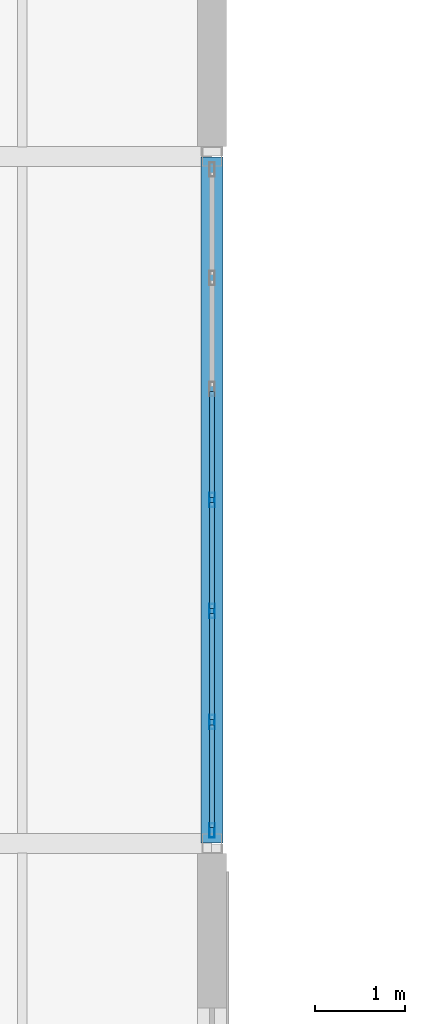
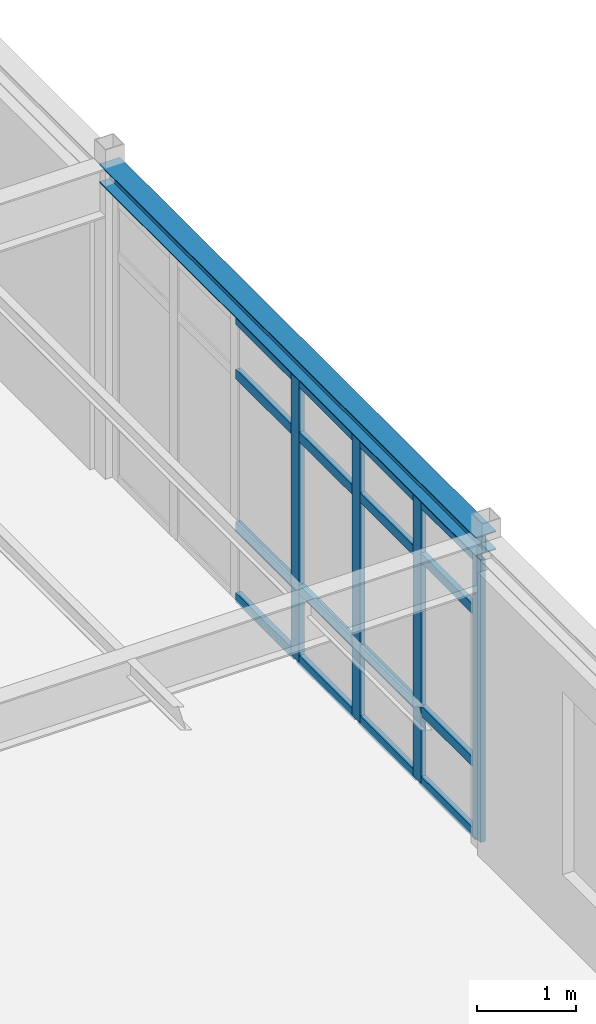
# One storey, part 46 of 114: 20 members, 1 beam, 1 element without a shape of its own.
"""IFC4 building model written with IfcOpenShell, lengths in metres."""

from ifc_helpers import new_model, si_unit, direction, frame, origin, origin_2d, place, context, subcontext, project, spatial, hollow_rectangle, i_section, extrude, material, layer, layer_set, material_profile, profile_set, type_object, element, aggregate, save


model = new_model("IFC4")

# Units and contexts
model_context = context("Model", 3, precision=1e-05, world=origin(), true_north=direction((0.0, 1.0)))
body_context = subcontext(model_context, "Body", "Model", "MODEL_VIEW")
ifc_project = project(units=[si_unit("LENGTHUNIT", "METRE"), si_unit("AREAUNIT", "SQUARE_METRE"), si_unit("VOLUMEUNIT", "CUBIC_METRE"), si_unit("PLANEANGLEUNIT", "RADIAN"), si_unit("MASSUNIT", "GRAM", prefix="KILO")], contexts=[model_context])

# Site, building, storey
site_placement = place(None, origin())
site = spatial("IfcSite", under=ifc_project, at=site_placement, CompositionType="ELEMENT")
building_placement = place(site_placement, origin())
building = spatial("IfcBuilding", under=site, at=building_placement, Name="Montecoro Central Library", CompositionType="ELEMENT")
storey_placement = place(building_placement, frame((0.0, 0.0, 13.260009765625)))
storey = spatial("IfcBuildingStorey", under=building, at=storey_placement, Name="L03", CompositionType="ELEMENT", Elevation=13.260009765625)

# Beam
ifc_material_1 = material(Name="Steel S355", Category="steel")
ifc_material_profile_1 = material_profile(ifc_material_1, i_section(OverallWidth=0.239990234375, OverallDepth=0.22998046875, WebThickness=0.007568359375, FlangeThickness=0.011962890625, at=origin_2d()), Name="HEA 240")
ifc_profile_set_1 = profile_set([ifc_material_profile_1], Name="Steel S355")
beam_type = type_object("IfcBeamType", Name="BM-SP-HEA240", PredefinedType="SPANDREL", material=ifc_profile_set_1)
beam_placement = place(storey_placement, frame((116.800048828125, 96.205078125, 3.7099609375), z_axis=(0.0, 1.0, 0.0), x_axis=(-1.0, 0.0, 0.0)))
element("IfcBeam", 1, at=beam_placement, inside=storey, type_object=beam_type, Name="V2-L03-BY-15-NP", PredefinedType="SPANDREL", context=body_context, shape_type="SweptSolid", body=[
    extrude(i_section(OverallWidth=0.239990234375, OverallDepth=0.22998046875, WebThickness=0.007568359375, FlangeThickness=0.011962890625, at=origin_2d()), origin(), (0.0, 0.0, 1.0), 7.58984375),
])

# Curtain wall, members
ifc_material_2 = material(Name="Bronze-anodised aluminium and low-E glazing", Category="aluminium")
ifc_layer = layer(ifc_material_2, 0.159912109375)
ifc_layer_set = layer_set([ifc_layer], Name="Bronze-anodised aluminium and low-E glazing")
curtain_wall_type = type_object("IfcCurtainWallType", Name="CWT-018", PredefinedType="NOTDEFINED", material=ifc_layer_set)
curtain_wall_placement = place(storey_placement, origin())
curtain_wall = element("IfcCurtainWall", 2, at=curtain_wall_placement, inside=storey, type_object=curtain_wall_type, Name="V2-L03-CW-E1", PredefinedType="NOTDEFINED")
ifc_material_3 = material(Name="Bronze-anodised aluminium", Category="aluminium")
ifc_material_profile_2 = material_profile(ifc_material_3, hollow_rectangle(XDim=0.06005859375, YDim=0.159912109375, WallThickness=0.00390625, at=origin_2d()), Name="CWM 160x60x4.0")
ifc_profile_set_2 = profile_set([ifc_material_profile_2], Name="Bronze-anodised aluminium")
member_type_1 = type_object("IfcMemberType", Name="CWM-BRZ-60", PredefinedType="MULLION", material=ifc_profile_set_2)
member_1_placement = place(storey_placement, frame((116.800048828125, 96.343017578125, 0.0), z_axis=(0.0, 0.0, 1.0), x_axis=(-1.0, 0.0, 0.0)))
member_1 = element("IfcMember", 3, at=member_1_placement, type_object=member_type_1, Name="CW-018 mullion 1", PredefinedType="MULLION", context=body_context, shape_type="SweptSolid", body=[
    extrude(hollow_rectangle(XDim=0.06005859375, YDim=0.159912109375, WallThickness=0.00390625, at=origin_2d()), origin(), (0.0, 0.0, 1.0), 3.47998046875),
])
member_2_placement = place(storey_placement, frame((116.800048828125, 97.5419921875, 0.0), z_axis=(0.0, 0.0, 1.0), x_axis=(-1.0, 0.0, 0.0)))
member_2 = element("IfcMember", 4, at=member_2_placement, type_object=member_type_1, Name="CW-018 mullion 2", PredefinedType="MULLION", context=body_context, shape_type="SweptSolid", body=[
    extrude(hollow_rectangle(XDim=0.06005859375, YDim=0.159912109375, WallThickness=0.00390625, at=origin_2d()), origin(), (0.0, 0.0, 1.0), 3.47998046875),
])
member_3_placement = place(storey_placement, frame((116.800048828125, 98.77099609375, 0.0), z_axis=(0.0, 0.0, 1.0), x_axis=(-1.0, 0.0, 0.0)))
member_3 = element("IfcMember", 5, at=member_3_placement, type_object=member_type_1, Name="CW-018 mullion 3", PredefinedType="MULLION", context=body_context, shape_type="SweptSolid", body=[
    extrude(hollow_rectangle(XDim=0.06005859375, YDim=0.159912109375, WallThickness=0.00390625, at=origin_2d()), origin(), (0.0, 0.0, 1.0), 3.47998046875),
])
member_4_placement = place(storey_placement, frame((116.800048828125, 100.0, 0.0), z_axis=(0.0, 0.0, 1.0), x_axis=(-1.0, 0.0, 0.0)))
member_4 = element("IfcMember", 6, at=member_4_placement, type_object=member_type_1, Name="CW-018 mullion 4", PredefinedType="MULLION", context=body_context, shape_type="SweptSolid", body=[
    extrude(hollow_rectangle(XDim=0.06005859375, YDim=0.159912109375, WallThickness=0.00390625, at=origin_2d()), origin(), (0.0, 0.0, 1.0), 3.47998046875),
])
ifc_material_profile_3 = material_profile(ifc_material_3, hollow_rectangle(XDim=0.06005859375, YDim=0.1201171875, WallThickness=0.00390625, at=origin_2d()), Name="CWT 120x60x4.0")
ifc_profile_set_3 = profile_set([ifc_material_profile_3], Name="Bronze-anodised aluminium")
member_type_2 = type_object("IfcMemberType", Name="CWT-BRZ-60", PredefinedType="USERDEFINED", material=ifc_profile_set_3)
member_5_placement = place(storey_placement, frame((116.800048828125, 96.373046875, 0.030029296875), z_axis=(0.0, 1.0, 0.0), x_axis=(-1.0, 0.0, 0.0)))
member_5 = element("IfcMember", 7, at=member_5_placement, type_object=member_type_2, Name="CW-018 transom 1.1", ObjectType="TRANSOM", PredefinedType="USERDEFINED", context=body_context, shape_type="SweptSolid", body=[
    extrude(hollow_rectangle(XDim=0.06005859375, YDim=0.1201171875, WallThickness=0.00390625, at=origin_2d()), origin(), (0.0, 0.0, 1.0), 1.138916015625),
])
member_6_placement = place(storey_placement, frame((116.800048828125, 96.373046875, 0.89990234375), z_axis=(0.0, 1.0, 0.0), x_axis=(-1.0, 0.0, 0.0)))
member_6 = element("IfcMember", 8, at=member_6_placement, type_object=member_type_2, Name="CW-018 transom 1.2", ObjectType="TRANSOM", PredefinedType="USERDEFINED", context=body_context, shape_type="SweptSolid", body=[
    extrude(hollow_rectangle(XDim=0.06005859375, YDim=0.1201171875, WallThickness=0.00390625, at=origin_2d()), origin(), (0.0, 0.0, 1.0), 1.138916015625),
])
member_7_placement = place(storey_placement, frame((116.800048828125, 96.373046875, 2.780029296875), z_axis=(0.0, 1.0, 0.0), x_axis=(-1.0, 0.0, 0.0)))
member_7 = element("IfcMember", 9, at=member_7_placement, type_object=member_type_2, Name="CW-018 transom 1.3", ObjectType="TRANSOM", PredefinedType="USERDEFINED", context=body_context, shape_type="SweptSolid", body=[
    extrude(hollow_rectangle(XDim=0.06005859375, YDim=0.1201171875, WallThickness=0.00390625, at=origin_2d()), origin(), (0.0, 0.0, 1.0), 1.138916015625),
])
member_8_placement = place(storey_placement, frame((116.800048828125, 96.373046875, 3.449951171875), z_axis=(0.0, 1.0, 0.0), x_axis=(-1.0, 0.0, 0.0)))
member_8 = element("IfcMember", 10, at=member_8_placement, type_object=member_type_2, Name="CW-018 transom 1.4", ObjectType="TRANSOM", PredefinedType="USERDEFINED", context=body_context, shape_type="SweptSolid", body=[
    extrude(hollow_rectangle(XDim=0.06005859375, YDim=0.1201171875, WallThickness=0.00390625, at=origin_2d()), origin(), (0.0, 0.0, 1.0), 1.138916015625),
])
member_9_placement = place(storey_placement, frame((116.800048828125, 97.572021484375, 0.030029296875), z_axis=(0.0, 1.0, 0.0), x_axis=(-1.0, 0.0, 0.0)))
member_9 = element("IfcMember", 11, at=member_9_placement, type_object=member_type_2, Name="CW-018 transom 2.1", ObjectType="TRANSOM", PredefinedType="USERDEFINED", context=body_context, shape_type="SweptSolid", body=[
    extrude(hollow_rectangle(XDim=0.06005859375, YDim=0.1201171875, WallThickness=0.00390625, at=origin_2d()), origin(), (0.0, 0.0, 1.0), 1.1689453125),
])
member_10_placement = place(storey_placement, frame((116.800048828125, 97.572021484375, 0.89990234375), z_axis=(0.0, 1.0, 0.0), x_axis=(-1.0, 0.0, 0.0)))
member_10 = element("IfcMember", 12, at=member_10_placement, type_object=member_type_2, Name="CW-018 transom 2.2", ObjectType="TRANSOM", PredefinedType="USERDEFINED", context=body_context, shape_type="SweptSolid", body=[
    extrude(hollow_rectangle(XDim=0.06005859375, YDim=0.1201171875, WallThickness=0.00390625, at=origin_2d()), origin(), (0.0, 0.0, 1.0), 1.1689453125),
])
member_11_placement = place(storey_placement, frame((116.800048828125, 97.572021484375, 2.780029296875), z_axis=(0.0, 1.0, 0.0), x_axis=(-1.0, 0.0, 0.0)))
member_11 = element("IfcMember", 13, at=member_11_placement, type_object=member_type_2, Name="CW-018 transom 2.3", ObjectType="TRANSOM", PredefinedType="USERDEFINED", context=body_context, shape_type="SweptSolid", body=[
    extrude(hollow_rectangle(XDim=0.06005859375, YDim=0.1201171875, WallThickness=0.00390625, at=origin_2d()), origin(), (0.0, 0.0, 1.0), 1.1689453125),
])
member_12_placement = place(storey_placement, frame((116.800048828125, 97.572021484375, 3.449951171875), z_axis=(0.0, 1.0, 0.0), x_axis=(-1.0, 0.0, 0.0)))
member_12 = element("IfcMember", 14, at=member_12_placement, type_object=member_type_2, Name="CW-018 transom 2.4", ObjectType="TRANSOM", PredefinedType="USERDEFINED", context=body_context, shape_type="SweptSolid", body=[
    extrude(hollow_rectangle(XDim=0.06005859375, YDim=0.1201171875, WallThickness=0.00390625, at=origin_2d()), origin(), (0.0, 0.0, 1.0), 1.1689453125),
])
member_13_placement = place(storey_placement, frame((116.800048828125, 98.801025390625, 0.030029296875), z_axis=(0.0, 1.0, 0.0), x_axis=(-1.0, 0.0, 0.0)))
member_13 = element("IfcMember", 15, at=member_13_placement, type_object=member_type_2, Name="CW-018 transom 3.1", ObjectType="TRANSOM", PredefinedType="USERDEFINED", context=body_context, shape_type="SweptSolid", body=[
    extrude(hollow_rectangle(XDim=0.06005859375, YDim=0.1201171875, WallThickness=0.00390625, at=origin_2d()), origin(), (0.0, 0.0, 1.0), 1.1689453125),
])
member_14_placement = place(storey_placement, frame((116.800048828125, 98.801025390625, 0.89990234375), z_axis=(0.0, 1.0, 0.0), x_axis=(-1.0, 0.0, 0.0)))
member_14 = element("IfcMember", 16, at=member_14_placement, type_object=member_type_2, Name="CW-018 transom 3.2", ObjectType="TRANSOM", PredefinedType="USERDEFINED", context=body_context, shape_type="SweptSolid", body=[
    extrude(hollow_rectangle(XDim=0.06005859375, YDim=0.1201171875, WallThickness=0.00390625, at=origin_2d()), origin(), (0.0, 0.0, 1.0), 1.1689453125),
])
member_15_placement = place(storey_placement, frame((116.800048828125, 98.801025390625, 2.780029296875), z_axis=(0.0, 1.0, 0.0), x_axis=(-1.0, 0.0, 0.0)))
member_15 = element("IfcMember", 17, at=member_15_placement, type_object=member_type_2, Name="CW-018 transom 3.3", ObjectType="TRANSOM", PredefinedType="USERDEFINED", context=body_context, shape_type="SweptSolid", body=[
    extrude(hollow_rectangle(XDim=0.06005859375, YDim=0.1201171875, WallThickness=0.00390625, at=origin_2d()), origin(), (0.0, 0.0, 1.0), 1.1689453125),
])
member_16_placement = place(storey_placement, frame((116.800048828125, 98.801025390625, 3.449951171875), z_axis=(0.0, 1.0, 0.0), x_axis=(-1.0, 0.0, 0.0)))
member_16 = element("IfcMember", 18, at=member_16_placement, type_object=member_type_2, Name="CW-018 transom 3.4", ObjectType="TRANSOM", PredefinedType="USERDEFINED", context=body_context, shape_type="SweptSolid", body=[
    extrude(hollow_rectangle(XDim=0.06005859375, YDim=0.1201171875, WallThickness=0.00390625, at=origin_2d()), origin(), (0.0, 0.0, 1.0), 1.1689453125),
])
member_17_placement = place(storey_placement, frame((116.800048828125, 100.030029296875, 0.030029296875), z_axis=(0.0, 1.0, 0.0), x_axis=(-1.0, 0.0, 0.0)))
member_17 = element("IfcMember", 19, at=member_17_placement, type_object=member_type_2, Name="CW-018 transom 4.1", ObjectType="TRANSOM", PredefinedType="USERDEFINED", context=body_context, shape_type="SweptSolid", body=[
    extrude(hollow_rectangle(XDim=0.06005859375, YDim=0.1201171875, WallThickness=0.00390625, at=origin_2d()), origin(), (0.0, 0.0, 1.0), 1.1689453125),
])
member_18_placement = place(storey_placement, frame((116.800048828125, 100.030029296875, 0.89990234375), z_axis=(0.0, 1.0, 0.0), x_axis=(-1.0, 0.0, 0.0)))
member_18 = element("IfcMember", 20, at=member_18_placement, type_object=member_type_2, Name="CW-018 transom 4.2", ObjectType="TRANSOM", PredefinedType="USERDEFINED", context=body_context, shape_type="SweptSolid", body=[
    extrude(hollow_rectangle(XDim=0.06005859375, YDim=0.1201171875, WallThickness=0.00390625, at=origin_2d()), origin(), (0.0, 0.0, 1.0), 1.1689453125),
])
member_19_placement = place(storey_placement, frame((116.800048828125, 100.030029296875, 2.780029296875), z_axis=(0.0, 1.0, 0.0), x_axis=(-1.0, 0.0, 0.0)))
member_19 = element("IfcMember", 21, at=member_19_placement, type_object=member_type_2, Name="CW-018 transom 4.3", ObjectType="TRANSOM", PredefinedType="USERDEFINED", context=body_context, shape_type="SweptSolid", body=[
    extrude(hollow_rectangle(XDim=0.06005859375, YDim=0.1201171875, WallThickness=0.00390625, at=origin_2d()), origin(), (0.0, 0.0, 1.0), 1.1689453125),
])
member_20_placement = place(storey_placement, frame((116.800048828125, 100.030029296875, 3.449951171875), z_axis=(0.0, 1.0, 0.0), x_axis=(-1.0, 0.0, 0.0)))
member_20 = element("IfcMember", 22, at=member_20_placement, type_object=member_type_2, Name="CW-018 transom 4.4", ObjectType="TRANSOM", PredefinedType="USERDEFINED", context=body_context, shape_type="SweptSolid", body=[
    extrude(hollow_rectangle(XDim=0.06005859375, YDim=0.1201171875, WallThickness=0.00390625, at=origin_2d()), origin(), (0.0, 0.0, 1.0), 1.1689453125),
])
aggregate(curtain_wall, [member_1, member_2, member_3, member_4, member_5, member_6, member_7, member_8, member_9, member_10, member_11, member_12, member_13, member_14, member_15, member_16, member_17, member_18, member_19, member_20])

save(model, "model.ifc")
